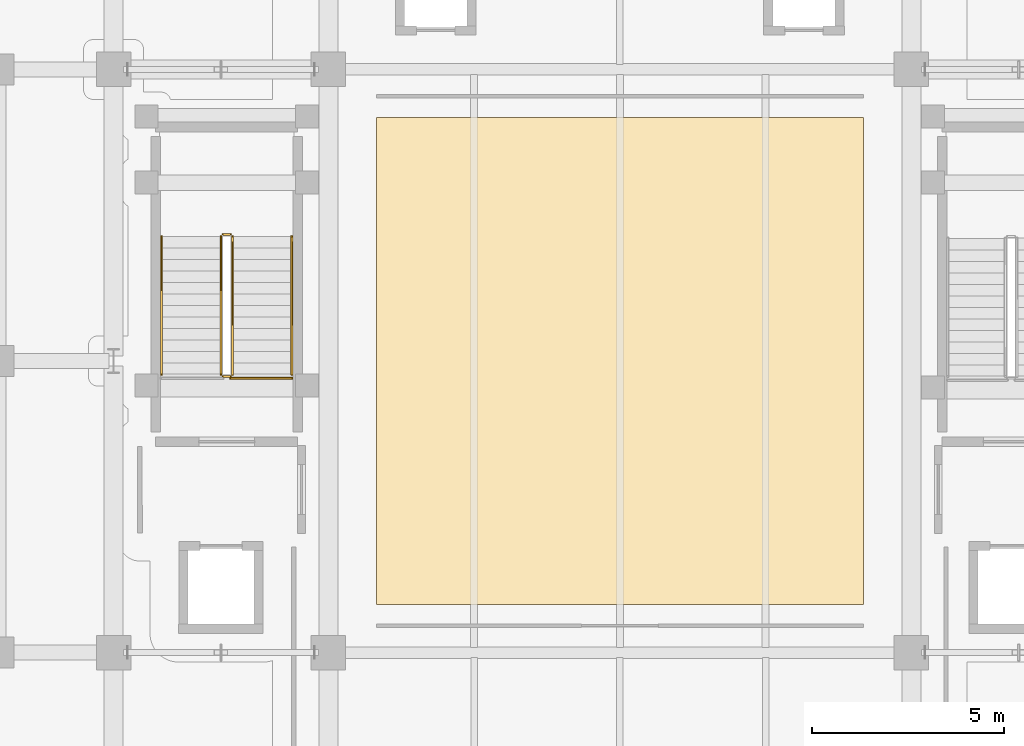
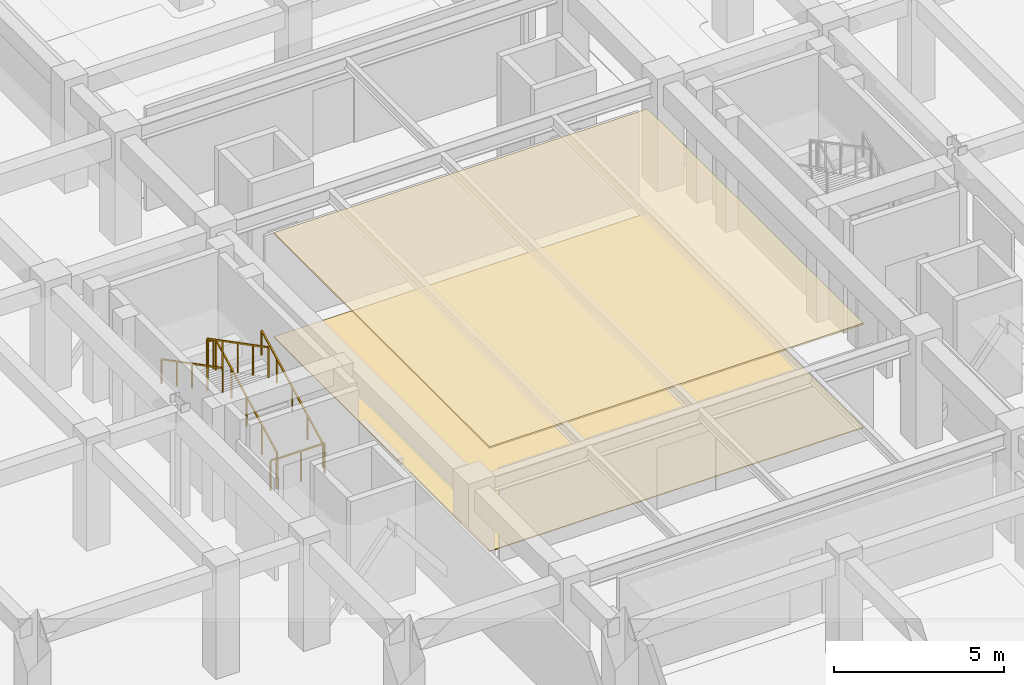
# One storey, part 78 of 87: 7 railings, 2 coverings.
"""IFC4 building model written with IfcOpenShell, lengths in metres."""

from ifc_helpers import new_model, si_unit, direction, frame, origin, origin_2d, place, context, subcontext, project, spatial, polyline, rectangle, outline, extrude, material, layer, layer_set, type_object, element, save


model = new_model("IFC4")

# Units and contexts
model_context = context("Model", 3, precision=1e-05, world=origin(), true_north=direction((0.0, 1.0)))
body_context = subcontext(model_context, "Body", "Model", "MODEL_VIEW")
ifc_project = project(units=[si_unit("LENGTHUNIT", "METRE"), si_unit("AREAUNIT", "SQUARE_METRE"), si_unit("VOLUMEUNIT", "CUBIC_METRE"), si_unit("PLANEANGLEUNIT", "RADIAN"), si_unit("MASSUNIT", "GRAM", prefix="KILO")], contexts=[model_context])

# Site, building, storey
site_placement = place(None, origin())
site = spatial("IfcSite", under=ifc_project, at=site_placement, CompositionType="ELEMENT")
building_placement = place(site_placement, origin())
building = spatial("IfcBuilding", under=site, at=building_placement, Name="Saryqyr Civic Hall", CompositionType="ELEMENT")
storey_placement = place(building_placement, frame((0.0, 0.0, 5.10009765625)))
storey = spatial("IfcBuildingStorey", under=building, at=storey_placement, Name="L01", CompositionType="ELEMENT", Elevation=5.10009765625)

# Coverings
ifc_material_1 = material(Name="Mineral-fibre acoustic ceiling tile", Category="acoustic_tile")
ifc_layer_1 = layer(ifc_material_1, 0.06005859375, Name="Mineral-fibre acoustic ceiling tile")
ifc_layer_set_1 = layer_set([ifc_layer_1], Name="Mineral-fibre acoustic ceiling tile")
covering_type_1 = type_object("IfcCoveringType", Name="INT-COV-CEIL-60", PredefinedType="CEILING", material=ifc_layer_set_1)
covering_1_placement = place(storey_placement, frame((0.0, 0.0, 3.7099609375)))
element("IfcCovering", 1, at=covering_1_placement, inside=storey, type_object=covering_type_1, Name="Acoustic ceiling Ceremonial Marriage & Citizenship Hall", PredefinedType="CEILING", context=body_context, shape_type="SweptSolid", body=[
    extrude(outline(polyline([(50.64990234375, 77.64990234375), (50.64990234375, 90.35009765625), (63.35009765625, 90.35009765625), (63.35009765625, 77.64990234375), (50.64990234375, 77.64990234375)])), origin(), (0.0, 0.0, 1.0), 0.06005859375),
])
ifc_material_2 = material(Name="Polished terrazzo tile", Category="stone")
ifc_layer_2 = layer(ifc_material_2, 0.030029296875, Name="Polished terrazzo tile")
ifc_layer_set_2 = layer_set([ifc_layer_2], Name="Polished terrazzo tile")
covering_type_2 = type_object("IfcCoveringType", Name="INT-COV-FLR-30", PredefinedType="FLOORING", material=ifc_layer_set_2)
covering_2_placement = place(storey_placement, origin())
element("IfcCovering", 2, at=covering_2_placement, inside=storey, type_object=covering_type_2, Name="Polished terrazzo flooring Ceremonial Marriage & Citizenship Hall", PredefinedType="FLOORING", context=body_context, shape_type="SweptSolid", body=[
    extrude(outline(polyline([(50.64990234375, 77.64990234375), (50.64990234375, 90.35009765625), (63.35009765625, 90.35009765625), (63.35009765625, 77.64990234375), (50.64990234375, 77.64990234375)])), origin(), (0.0, 0.0, 1.0), 0.02978515625),
])

# Railings
ifc_material_3 = material(Name="Warm brushed brass and laminated glass", Category="glass")
ifc_layer_3 = layer(ifc_material_3, 0.06005859375, Name="Warm brushed brass and laminated glass")
ifc_layer_set_3 = layer_set([ifc_layer_3], Name="Warm brushed brass and laminated glass")
railing_type_1 = type_object("IfcRailingType", Name="INT-RLG-BAL-1100", PredefinedType="BALUSTRADE", material=ifc_layer_set_3)
railing_1_placement = place(storey_placement, frame((46.89990234375, 83.64990234375, 0.15576171875)))
element("IfcRailing", 3, at=railing_1_placement, inside=storey, type_object=railing_type_1, Name="L01 ST-1 stair guard 1", PredefinedType="BALUSTRADE", context=body_context, shape_type="SweptSolid", body=[
    extrude(rectangle(XDim=0.048095703125, YDim=0.048095703125, at=origin_2d()), frame((0.0, 0.0, 1.076171875), z_axis=(0.0, 0.887510277101, 0.460787920893), x_axis=(-1.0, 0.0, 0.0)), (0.0, 0.0, 1.0), 4.056396484375),
    extrude(rectangle(XDim=0.0419921875, YDim=0.0419921875, at=origin_2d()), origin(), (0.0, 0.0, 1.0), 1.052001953125),
    extrude(rectangle(XDim=0.0419921875, YDim=0.0419921875, at=origin_2d()), frame((0.0, 0.89990234375, 0.46728515625)), (0.0, 0.0, 1.0), 1.052001953125),
    extrude(rectangle(XDim=0.0419921875, YDim=0.0419921875, at=origin_2d()), frame((0.0, 1.800048828125, 0.9345703125)), (0.0, 0.0, 1.0), 1.052001953125),
    extrude(rectangle(XDim=0.0419921875, YDim=0.0419921875, at=origin_2d()), frame((0.0, 2.7001953125, 1.40185546875)), (0.0, 0.0, 1.0), 1.052001953125),
    extrude(rectangle(XDim=0.0419921875, YDim=0.0419921875, at=origin_2d()), frame((0.0, 3.60009765625, 1.869140625)), (0.0, 0.0, 1.0), 1.052001953125),
])
railing_2_placement = place(storey_placement, frame((46.85009765625, 87.300048828125, 2.02490234375)))
element("IfcRailing", 4, at=railing_2_placement, inside=storey, type_object=railing_type_1, Name="L01 ST-1 stair guard 2", PredefinedType="BALUSTRADE", context=body_context, shape_type="SweptSolid", body=[
    extrude(rectangle(XDim=0.048095703125, YDim=0.048095703125, at=origin_2d()), frame((0.0, 0.0, 1.076171875), z_axis=(-1.0, 0.0, 0.0), x_axis=(0.0, -1.0, 0.0)), (0.0, 0.0, 1.0), 0.2001953125),
    extrude(rectangle(XDim=0.0419921875, YDim=0.0419921875, at=origin_2d()), origin(), (0.0, 0.0, 1.0), 1.052001953125),
    extrude(rectangle(XDim=0.0419921875, YDim=0.0419921875, at=origin_2d()), frame((-0.2001953125, 0.0, 0.0)), (0.0, 0.0, 1.0), 1.052001953125),
])
railing_3_placement = place(storey_placement, frame((46.60009765625, 87.25, 2.1806640625)))
element("IfcRailing", 5, at=railing_3_placement, inside=storey, type_object=railing_type_1, Name="L01 ST-1 stair guard 3", PredefinedType="BALUSTRADE", context=body_context, shape_type="SweptSolid", body=[
    extrude(rectangle(XDim=0.048095703125, YDim=0.048095703125, at=origin_2d()), frame((0.0, 0.0, 1.076171875), z_axis=(0.0, -0.887510277101, 0.460787920893), x_axis=(1.0, 0.0, 0.0)), (0.0, 0.0, 1.0), 4.056396484375),
    extrude(rectangle(XDim=0.0419921875, YDim=0.0419921875, at=origin_2d()), origin(), (0.0, 0.0, 1.0), 1.052001953125),
    extrude(rectangle(XDim=0.0419921875, YDim=0.0419921875, at=origin_2d()), frame((0.0, -0.89990234375, 0.46728515625)), (0.0, 0.0, 1.0), 1.052001953125),
    extrude(rectangle(XDim=0.0419921875, YDim=0.0419921875, at=origin_2d()), frame((0.0, -1.800048828125, 0.9345703125)), (0.0, 0.0, 1.0), 1.052001953125),
    extrude(rectangle(XDim=0.0419921875, YDim=0.0419921875, at=origin_2d()), frame((0.0, -2.7001953125, 1.40185546875)), (0.0, 0.0, 1.0), 1.052001953125),
    extrude(rectangle(XDim=0.0419921875, YDim=0.0419921875, at=origin_2d()), frame((0.0, -3.60009765625, 1.869140625)), (0.0, 0.0, 1.0), 1.052001953125),
])
railing_4_placement = place(storey_placement, frame((46.85009765625, 83.60009765625, 0.0)))
element("IfcRailing", 6, at=railing_4_placement, inside=storey, type_object=railing_type_1, Name="L01 ST-1 stair guard 4", PredefinedType="BALUSTRADE", context=body_context, shape_type="SweptSolid", body=[
    extrude(rectangle(XDim=0.048095703125, YDim=0.048095703125, at=origin_2d()), frame((0.0, 0.0, 1.076171875), z_axis=(-1.0, 0.0, 0.0), x_axis=(0.0, -1.0, 0.0)), (0.0, 0.0, 1.0), 0.2001953125),
    extrude(rectangle(XDim=0.0419921875, YDim=0.0419921875, at=origin_2d()), origin(), (0.0, 0.0, 1.0), 1.052001953125),
    extrude(rectangle(XDim=0.0419921875, YDim=0.0419921875, at=origin_2d()), frame((-0.2001953125, 0.0, 0.0)), (0.0, 0.0, 1.0), 1.052001953125),
])
railing_5_placement = place(storey_placement, frame((46.85009765625, 83.550048828125, 0.0)))
element("IfcRailing", 7, at=railing_5_placement, inside=storey, type_object=railing_type_1, Name="Interior deck safety balustrade L01-081", PredefinedType="BALUSTRADE", context=body_context, shape_type="SweptSolid", body=[
    extrude(rectangle(XDim=0.048095703125, YDim=0.048095703125, at=origin_2d()), frame((0.0, 0.0, 1.09619140625), z_axis=(1.0, 0.0, 0.0), x_axis=(0.0, 1.0, 0.0)), (0.0, 0.0, 1.0), 1.60498046875),
    extrude(rectangle(XDim=0.0419921875, YDim=0.0419921875, at=origin_2d()), origin(), (0.0, 0.0, 1.0), 1.072021484375),
    extrude(rectangle(XDim=0.0419921875, YDim=0.0419921875, at=origin_2d()), frame((0.802490234375, 0.0, 0.0)), (0.0, 0.0, 1.0), 1.072021484375),
    extrude(rectangle(XDim=0.0419921875, YDim=0.0419921875, at=origin_2d()), frame((1.60498046875, 0.0, 0.0)), (0.0, 0.0, 1.0), 1.072021484375),
])
ifc_material_4 = material(Name="Stainless steel", Category="steel")
ifc_layer_4 = layer(ifc_material_4, 0.050048828125, Name="Stainless steel")
ifc_layer_set_4 = layer_set([ifc_layer_4], Name="Stainless steel")
railing_type_2 = type_object("IfcRailingType", Name="INT-RLG-HND-900", PredefinedType="HANDRAIL", material=ifc_layer_set_4)
railing_6_placement = place(storey_placement, frame((48.449951171875, 83.64990234375, 0.15576171875)))
element("IfcRailing", 8, at=railing_6_placement, inside=storey, type_object=railing_type_2, Name="L01 ST-1 stair handrail 1", PredefinedType="HANDRAIL", context=body_context, shape_type="SweptSolid", body=[
    extrude(rectangle(XDim=0.048095703125, YDim=0.048095703125, at=origin_2d()), frame((0.0, 0.0, 0.8759765625), z_axis=(0.0, 0.887510277101, 0.460787920893), x_axis=(-1.0, 0.0, 0.0)), (0.0, 0.0, 1.0), 4.056396484375),
    extrude(rectangle(XDim=0.0419921875, YDim=0.0419921875, at=origin_2d()), origin(), (0.0, 0.0, 1.0), 0.851806640625),
    extrude(rectangle(XDim=0.0419921875, YDim=0.0419921875, at=origin_2d()), frame((0.0, 0.89990234375, 0.46728515625)), (0.0, 0.0, 1.0), 0.851806640625),
    extrude(rectangle(XDim=0.0419921875, YDim=0.0419921875, at=origin_2d()), frame((0.0, 1.800048828125, 0.9345703125)), (0.0, 0.0, 1.0), 0.851806640625),
    extrude(rectangle(XDim=0.0419921875, YDim=0.0419921875, at=origin_2d()), frame((0.0, 2.7001953125, 1.40185546875)), (0.0, 0.0, 1.0), 0.851806640625),
    extrude(rectangle(XDim=0.0419921875, YDim=0.0419921875, at=origin_2d()), frame((0.0, 3.60009765625, 1.869140625)), (0.0, 0.0, 1.0), 0.851806640625),
])
railing_7_placement = place(storey_placement, frame((45.050048828125, 87.25, 2.1806640625)))
element("IfcRailing", 9, at=railing_7_placement, inside=storey, type_object=railing_type_2, Name="L01 ST-1 stair handrail 2", PredefinedType="HANDRAIL", context=body_context, shape_type="SweptSolid", body=[
    extrude(rectangle(XDim=0.048095703125, YDim=0.048095703125, at=origin_2d()), frame((0.0, 0.0, 0.8759765625), z_axis=(0.0, -0.887510277101, 0.460787920893), x_axis=(1.0, 0.0, 0.0)), (0.0, 0.0, 1.0), 4.056396484375),
    extrude(rectangle(XDim=0.0419921875, YDim=0.0419921875, at=origin_2d()), origin(), (0.0, 0.0, 1.0), 0.851806640625),
    extrude(rectangle(XDim=0.0419921875, YDim=0.0419921875, at=origin_2d()), frame((0.0, -0.89990234375, 0.46728515625)), (0.0, 0.0, 1.0), 0.851806640625),
    extrude(rectangle(XDim=0.0419921875, YDim=0.0419921875, at=origin_2d()), frame((0.0, -1.800048828125, 0.9345703125)), (0.0, 0.0, 1.0), 0.851806640625),
    extrude(rectangle(XDim=0.0419921875, YDim=0.0419921875, at=origin_2d()), frame((0.0, -2.7001953125, 1.40185546875)), (0.0, 0.0, 1.0), 0.851806640625),
    extrude(rectangle(XDim=0.0419921875, YDim=0.0419921875, at=origin_2d()), frame((0.0, -3.60009765625, 1.869140625)), (0.0, 0.0, 1.0), 0.851806640625),
])

save(model, "model.ifc")
